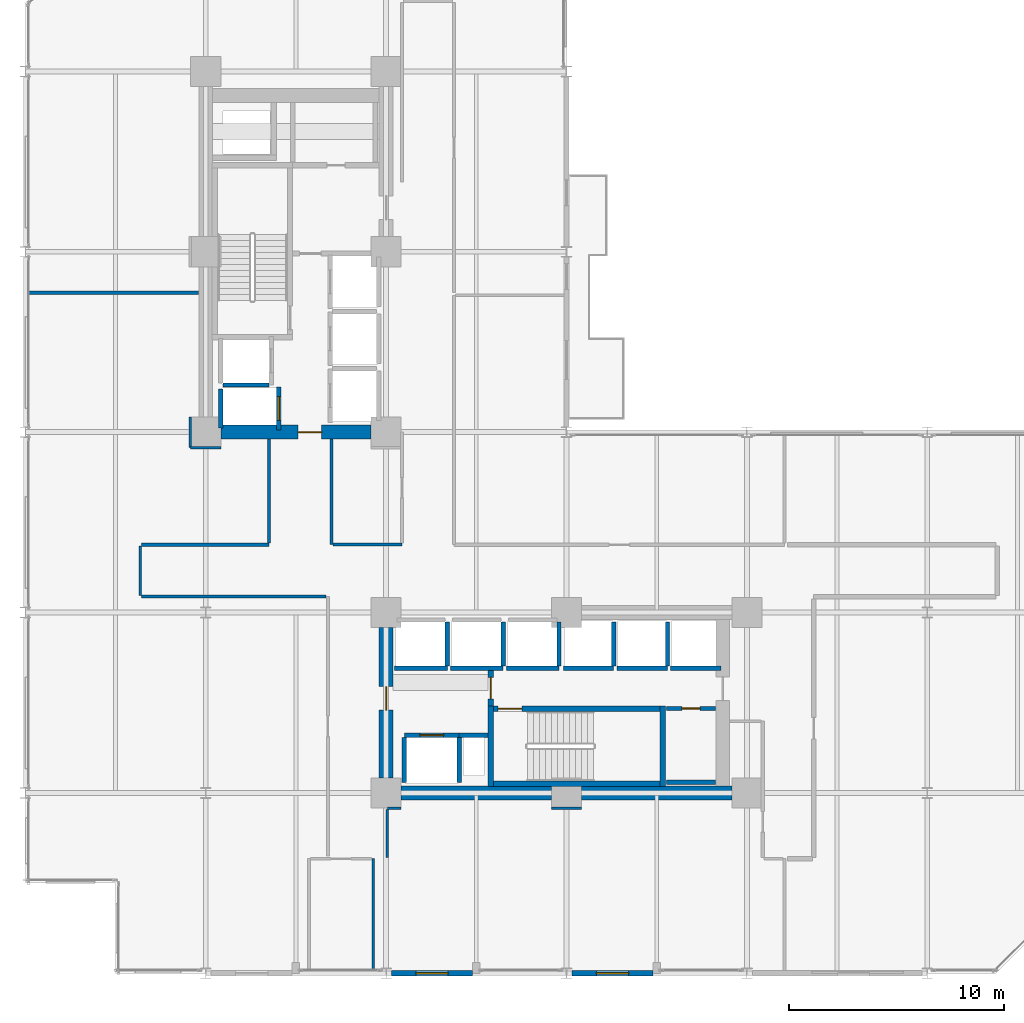
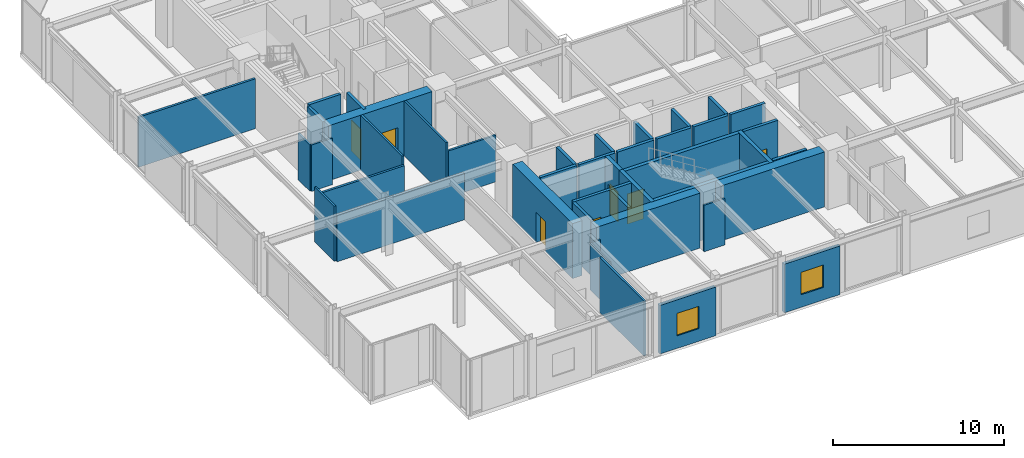
# One storey, part 19 of 24: 44 walls, 7 doors, 2 windows, 9 openings.
"""IFC4 building model written with IfcOpenShell, lengths in metres."""

import ifcopenshell
import ifcopenshell.guid

model = None  # the IFC model being written
_history = None  # IfcOwnerHistory: only IFC2X3 demands one
_inside = {}  # id of a spatial element -> (the spatial element, [elements in it])
_under = {}  # id of a project, library or spatial element -> (it, [spatial elements below it])
_declared = {}  # id of a project -> (the project, [libraries it declares])
_typed = {}  # id of a type object -> (the type object, [elements of that type])
_made_of = {}  # id of a material, layer set ... -> (it, [elements and type objects made of it])


def new_model(schema):
    """Start an empty IFC model of exactly this schema.

    Asked for "IFC4X3", IfcOpenShell would pick the latest addendum, in which some entities
    have other attributes; the version numbers below select the first issue.
    IFC2X3 requires an IfcOwnerHistory on every rooted entity: one is made here for all.
    """
    global model, _history
    if schema == "IFC4X3":
        model = ifcopenshell.file(schema_version=(4, 3, 0, 0))
    else:
        model = ifcopenshell.file(schema=schema)
    _inside.clear()
    _under.clear()
    _declared.clear()
    _typed.clear()
    _made_of.clear()
    _history = None
    if model.schema == "IFC2X3":
        org = make("IfcOrganization", Name="unknown")
        user = make(
            "IfcPersonAndOrganization",
            ThePerson=make("IfcPerson", FamilyName="unknown"),
            TheOrganization=org,
        )
        app = make(
            "IfcApplication",
            ApplicationDeveloper=org,
            Version="unknown",
            ApplicationFullName="unknown",
            ApplicationIdentifier="unknown",
        )
        _history = make(
            "IfcOwnerHistory",
            OwningUser=user,
            OwningApplication=app,
            ChangeAction="ADDED",
            CreationDate=0,
        )
    return model


def make(cls, **values):
    """One entity of the class cls with the attributes given. An attribute that is None is left unset."""
    return model.create_entity(
        cls, **{name: value for name, value in values.items() if value is not None}
    )


def rooted(cls, **values):
    """An entity with a GlobalId (a new one), such as an element, a storey or a relation."""
    return make(cls, GlobalId=ifcopenshell.guid.new(), OwnerHistory=_history, **values)


def si_unit(unit_type, name, prefix=None):
    """IfcSIUnit, for example si_unit("LENGTHUNIT", "METRE", prefix="MILLI")."""
    return make("IfcSIUnit", UnitType=unit_type, Prefix=prefix, Name=name)


def assignment(units):
    """IfcUnitAssignment: the units of a project."""
    return None if units is None else make("IfcUnitAssignment", Units=units)


def point(xyz):
    """IfcCartesianPoint."""
    return None if xyz is None else make("IfcCartesianPoint", Coordinates=xyz)


def direction(xyz):
    """IfcDirection."""
    return None if xyz is None else make("IfcDirection", DirectionRatios=xyz)


def frame(location, z_axis=None, x_axis=None):
    """IfcAxis2Placement3D, a coordinate frame: its origin and axes. An axis left out is left unset."""
    return make(
        "IfcAxis2Placement3D",
        Location=point(location),
        Axis=direction(z_axis),
        RefDirection=direction(x_axis),
    )


def frame_2d(location, x_axis=None):
    """IfcAxis2Placement2D, a coordinate frame in the plane: its origin and x axis."""
    return make(
        "IfcAxis2Placement2D", Location=point(location), RefDirection=direction(x_axis)
    )


def origin():
    """The frame at (0, 0, 0) with its axes left unset."""
    return frame((0.0, 0.0, 0.0))


def place(relative_to, where):
    """IfcLocalPlacement: puts the frame where relative to a parent placement (None: the world)."""
    return make(
        "IfcLocalPlacement", PlacementRelTo=relative_to, RelativePlacement=where
    )


def context(
    kind, dimensions, precision=None, world=None, true_north=None, identifier=None
):
    """IfcGeometricRepresentationContext, for example the 3D "Model" context."""
    return make(
        "IfcGeometricRepresentationContext",
        ContextIdentifier=identifier,
        ContextType=kind,
        CoordinateSpaceDimension=dimensions,
        Precision=precision,
        WorldCoordinateSystem=world,
        TrueNorth=true_north,
    )


def subcontext(parent, identifier, kind, view, scale=None):
    """IfcGeometricRepresentationSubContext, for example "Body" below "Model"."""
    return make(
        "IfcGeometricRepresentationSubContext",
        ContextIdentifier=identifier,
        ContextType=kind,
        ParentContext=parent,
        TargetScale=scale,
        TargetView=view,
    )


def project(units=None, contexts=None):
    """IfcProject with its units and contexts."""
    return rooted(
        "IfcProject",
        Name="project",
        RepresentationContexts=contexts,
        UnitsInContext=assignment(units),
    )


def spatial(cls, under=None, at=None, **own):
    """A site, building, storey or space (cls), placed at a placement, below another one or the project."""
    s = rooted(cls, ObjectPlacement=at, **own)
    if under is not None:
        _under.setdefault(under.id(), (under, []))[1].append(s)
    return s


def profile(cls, at=None, kind="AREA", **sizes):
    """A parametric profile (cls). Its sizes go by their IFC names, for example OverallWidth=200.0."""
    return make(cls, ProfileType=kind, Position=at, **sizes)


def rectangle(**sizes):
    """IfcRectangleProfileDef."""
    return profile("IfcRectangleProfileDef", **sizes)


def extrude(swept, where, along, depth):
    """IfcExtrudedAreaSolid: the profile swept, set in the frame where, extruded along a direction by depth."""
    return make(
        "IfcExtrudedAreaSolid",
        SweptArea=swept,
        Position=where,
        ExtrudedDirection=direction(along),
        Depth=depth,
    )


def shape(context_of_items, identifier, shape_type, items):
    """IfcShapeRepresentation: the items that make up one representation, for example the "Body"."""
    return make(
        "IfcShapeRepresentation",
        ContextOfItems=context_of_items,
        RepresentationIdentifier=identifier,
        RepresentationType=shape_type,
        Items=items,
    )


def material(Name=None, Category=None):
    """IfcMaterial."""
    return make("IfcMaterial", Name=Name, Category=Category)


def layer(
    of_material, thickness, ventilated=None, Name=None, Category=None, Priority=None
):
    """IfcMaterialLayer: one layer of a wall or slab, of a material (None: an air gap)."""
    return make(
        "IfcMaterialLayer",
        Material=of_material,
        LayerThickness=thickness,
        IsVentilated=ventilated,
        Name=Name,
        Category=Category,
        Priority=Priority,
    )


def layer_set(layers, Name=None):
    """IfcMaterialLayerSet."""
    return make("IfcMaterialLayerSet", MaterialLayers=layers, LayerSetName=Name)


def made_of(thing, what):
    """Note that an element or type object is made of a material, layer set ...; save() writes the relation."""
    if what is not None:
        _made_of.setdefault(what.id(), (what, []))[1].append(thing)
    return thing


def type_object(cls, material=None, **own):
    """A type object (cls), such as IfcWallType, which elements share."""
    return made_of(rooted(cls, **own), material)


def element(
    cls,
    number,
    at=None,
    inside=None,
    cuts=None,
    type_object=None,
    material=None,
    context=None,
    identifier="Body",
    shape_type=None,
    held_by="IfcProductDefinitionShape",
    body=None,
    shapes=None,
    **own,
):
    """One element of the class cls, such as IfcWall. Its Tag is "e" and its number.

    at: its placement. inside: the storey or other place that contains it. cuts: it is an
    opening in that element (IfcRelVoidsElement). A single representation is given by context,
    identifier, shape_type and body (its items); several are given by shapes. held_by: the class
    of the entity that holds the representations. save() writes the other relations.
    """
    e = rooted(cls, Tag="e%d" % number, ObjectPlacement=at, **own)
    if body is not None:
        shapes = [shape(context, identifier, shape_type, body)]
    if shapes is not None:
        e.Representation = make(held_by, Representations=shapes)
    if inside is not None:
        _inside.setdefault(inside.id(), (inside, []))[1].append(e)
    if cuts is not None:
        rooted(
            "IfcRelVoidsElement", RelatingBuildingElement=cuts, RelatedOpeningElement=e
        )
    if type_object is not None:
        _typed.setdefault(type_object.id(), (type_object, []))[1].append(e)
    return made_of(e, material)


def fill(opening, filler):
    """IfcRelFillsElement: the door or window that sits in an opening."""
    return rooted(
        "IfcRelFillsElement",
        RelatingOpeningElement=opening,
        RelatedBuildingElement=filler,
    )


def aggregate(whole, parts):
    """IfcRelAggregates: a whole, such as a stair, and the parts it consists of."""
    return rooted("IfcRelAggregates", RelatingObject=whole, RelatedObjects=parts)


def save(model, path):
    """Write the relations noted so far, then the file.

    IfcRelAggregates (storeys below a building ...), IfcRelContainedInSpatialStructure (elements
    in a storey), IfcRelDefinesByType, IfcRelAssociatesMaterial and IfcRelDeclares: one each for
    every whole, place, type object, material and project.
    """
    for whole, parts in _under.values():
        aggregate(whole, parts)
    for where, things in _inside.values():
        rooted(
            "IfcRelContainedInSpatialStructure",
            RelatedElements=things,
            RelatingStructure=where,
        )
    for kind, things in _typed.values():
        rooted("IfcRelDefinesByType", RelatedObjects=things, RelatingType=kind)
    for what, things in _made_of.values():
        rooted("IfcRelAssociatesMaterial", RelatedObjects=things, RelatingMaterial=what)
    for by, libraries in _declared.values():
        rooted("IfcRelDeclares", RelatingContext=by, RelatedDefinitions=libraries)
    model.write(path)


model = new_model("IFC4")

# Units and contexts
model_context = context("Model", 3, precision=1e-05, world=origin(), true_north=direction((0.0, 1.0)))
body_context = subcontext(model_context, "Body", "Model", "MODEL_VIEW")
ifc_project = project(units=[si_unit("LENGTHUNIT", "METRE"), si_unit("AREAUNIT", "SQUARE_METRE"), si_unit("VOLUMEUNIT", "CUBIC_METRE"), si_unit("PLANEANGLEUNIT", "RADIAN"), si_unit("MASSUNIT", "GRAM", prefix="KILO")], contexts=[model_context])

# Site, building, storey
site_placement = place(None, origin())
site = spatial("IfcSite", under=ifc_project, at=site_placement, CompositionType="ELEMENT")
building_placement = place(site_placement, origin())
building = spatial("IfcBuilding", under=site, at=building_placement, Name="Nerrivon Quay Data Exchange", CompositionType="ELEMENT")
storey_placement = place(building_placement, frame((0.0, 0.0, 33.199951171875)))
storey = spatial("IfcBuildingStorey", under=building, at=storey_placement, Name="L07", CompositionType="ELEMENT", Elevation=33.199951171875)

# Wall, opening, window
ifc_material_1 = material(Name="Architectural terracotta precast concrete N50 (50 MPa)", Category="masonry")
ifc_layer_1 = layer(ifc_material_1, 0.239990234375)
ifc_layer_set_1 = layer_set([ifc_layer_1], Name="Architectural terracotta precast concrete N50 (50 MPa)")
wall_type_1 = type_object("IfcWallType", Name="EW-PREC-240", PredefinedType="STANDARD", material=ifc_layer_set_1)
wall_1_placement = place(storey_placement, frame((29.22509765625, 0.0, 0.0), z_axis=(0.0, 0.0, 1.0), x_axis=(-1.0, 0.0, 0.0)))
wall_1 = element("IfcWall", 1, at=wall_1_placement, inside=storey, type_object=wall_type_1, Name="L07 Podium Precast Spandrel Wall 5", PredefinedType="STANDARD", context=body_context, shape_type="SweptSolid", body=[
    extrude(rectangle(XDim=3.775146484375, YDim=0.239990234375, at=frame_2d((1.8876953125, 0.0))), origin(), (0.0, 0.0, 1.0), 3.470947265625),
])
opening_1_placement = place(wall_1_placement, frame((1.137451171875, 0.0, 0.89990234375)))
opening_1 = element("IfcOpeningElement", 2, at=opening_1_placement, cuts=wall_1, Name="Opening WN4", PredefinedType="OPENING", context=body_context, shape_type="SweptSolid", body=[
    extrude(rectangle(XDim=1.5, YDim=1.60009765625, at=frame_2d((0.75, 0.800048828125))), frame((0.0, 0.1298828125, 0.0), z_axis=(0.0, -1.0, 0.0), x_axis=(1.0, 0.0, 0.0)), (0.0, 0.0, 1.0), 0.260009765625),
])
ifc_material_2 = material(Name="Double-glazed low-E solar control glass", Category="glass")
window_type = type_object("IfcWindowType", Name="WIN-W4-1500x1600", PartitioningType="SINGLE_PANEL", PredefinedType="WINDOW", material=ifc_material_2)
window_1_placement = place(opening_1_placement, origin())
window_1 = element("IfcWindow", 3, at=window_1_placement, inside=storey, type_object=window_type, Name="L07 Solar Facade Window 5", OverallHeight=1.60009765625, OverallWidth=1.5, PartitioningType="SINGLE_PANEL", PredefinedType="WINDOW", context=body_context, shape_type="SweptSolid", body=[
    extrude(rectangle(XDim=1.5, YDim=1.60009765625, at=frame_2d((0.75, 0.800048828125))), frame((0.0, 0.030029296875, 0.0), z_axis=(0.0, -1.0, 0.0), x_axis=(1.0, 0.0, 0.0)), (0.0, 0.0, 1.0), 0.06005859375),
])
fill(opening_1, window_1)

wall_2_placement = place(storey_placement, frame((20.824951171875, 0.0, 0.0), z_axis=(0.0, 0.0, 1.0), x_axis=(-1.0, 0.0, 0.0)))
wall_2 = element("IfcWall", 4, at=wall_2_placement, inside=storey, type_object=wall_type_1, Name="L07 Podium Precast Spandrel Wall 7", PredefinedType="STANDARD", context=body_context, shape_type="SweptSolid", body=[
    extrude(rectangle(XDim=3.77490234375, YDim=0.239990234375, at=frame_2d((1.887451171875, 0.0))), origin(), (0.0, 0.0, 1.0), 3.470947265625),
])
opening_2_placement = place(wall_2_placement, frame((1.137451171875, 0.0, 0.89990234375)))
opening_2 = element("IfcOpeningElement", 5, at=opening_2_placement, cuts=wall_2, Name="Opening WN4", PredefinedType="OPENING", context=body_context, shape_type="SweptSolid", body=[
    extrude(rectangle(XDim=1.5, YDim=1.60009765625, at=frame_2d((0.75, 0.800048828125))), frame((0.0, 0.1298828125, 0.0), z_axis=(0.0, -1.0, 0.0), x_axis=(1.0, 0.0, 0.0)), (0.0, 0.0, 1.0), 0.260009765625),
])
window_2_placement = place(opening_2_placement, origin())
window_2 = element("IfcWindow", 6, at=window_2_placement, inside=storey, type_object=window_type, Name="L07 Solar Facade Window 7", OverallHeight=1.60009765625, OverallWidth=1.5, PartitioningType="SINGLE_PANEL", PredefinedType="WINDOW", context=body_context, shape_type="SweptSolid", body=[
    extrude(rectangle(XDim=1.5, YDim=1.60009765625, at=frame_2d((0.75, 0.800048828125))), frame((0.0, 0.030029296875, 0.0), z_axis=(0.0, -1.0, 0.0), x_axis=(1.0, 0.0, 0.0)), (0.0, 0.0, 1.0), 0.06005859375),
])
fill(opening_2, window_2)

# Wall, opening, door
ifc_material_3 = material(Name="Concrete N80 (80 MPa)", Category="concrete")
ifc_layer_2 = layer(ifc_material_3, 0.64990234375)
ifc_layer_set_2 = layer_set([ifc_layer_2], Name="Concrete N80 (80 MPa)")
wall_type_2 = type_object("IfcWallType", Name="WALL-CW-850", PredefinedType="SHEAR", material=ifc_layer_set_2)
wall_3_placement = place(storey_placement, frame((9.10009765625, 25.199951171875, 0.0), z_axis=(0.0, 0.0, 1.0), x_axis=(1.0, 0.0, 0.0)))
wall_3 = element("IfcWall", 7, at=wall_3_placement, inside=storey, type_object=wall_type_2, Name="L07 West Split-Core Shear Wall WCW-S1", PredefinedType="SHEAR", context=body_context, shape_type="SweptSolid", body=[
    extrude(rectangle(XDim=7.0, YDim=0.64990234375, at=frame_2d((3.5, 0.0))), origin(), (0.0, 0.0, 1.0), 3.925048828125),
])
opening_3_placement = place(wall_3_placement, frame((3.60009765625, 0.0, 0.0)))
opening_3 = element("IfcOpeningElement", 8, at=opening_3_placement, cuts=wall_3, Name="Opening FD-120", PredefinedType="OPENING", context=body_context, shape_type="SweptSolid", body=[
    extrude(rectangle(XDim=1.10009765625, YDim=2.14990234375, at=frame_2d((0.550048828125, 1.074951171875))), frame((0.0, 0.3349609375, 0.0), z_axis=(0.0, -1.0, 0.0), x_axis=(1.0, 0.0, 0.0)), (0.0, 0.0, 1.0), 0.669921875),
])
ifc_material_4 = material(Name="Powder-coated galvanized steel sheet", Category="steel")
door_type_1 = type_object("IfcDoorType", Name="DR-FD120-1100", OperationType="NOTDEFINED", PredefinedType="DOOR", material=ifc_material_4)
door_1_placement = place(opening_3_placement, origin())
door_1 = element("IfcDoor", 9, at=door_1_placement, inside=storey, type_object=door_type_1, Name="L07 West Core Lobby Fire Door", OperationType="SINGLE_SWING_LEFT", OverallHeight=2.14990234375, OverallWidth=1.10009765625, PredefinedType="DOOR", context=body_context, shape_type="SweptSolid", body=[
    extrude(rectangle(XDim=1.10009765625, YDim=2.14990234375, at=frame_2d((0.550048828125, 1.074951171875))), frame((0.0, 0.02490234375, 0.0), z_axis=(0.0, -1.0, 0.0), x_axis=(1.0, 0.0, 0.0)), (0.0, 0.0, 1.0), 0.050048828125),
])
fill(opening_3, door_1)

# Walls
for number, where, z_axis, x_axis, name in (
    (10, (17.5, 8.39990234375, 0.0), (0.0, 0.0, 1.0), (1.0, 0.0, 0.0), "L07 East Split-Core Shear Wall ECW-S1"),
    (11, (25.89990234375, 8.39990234375, 0.0), (0.0, 0.0, 1.0), (1.0, 0.0, 0.0), "L07 East Split-Core Shear Wall ECW-S2"),
):
    element("IfcWall", number, at=place(storey_placement, frame(where, z_axis=z_axis, x_axis=x_axis)), inside=storey, type_object=wall_type_2, Name=name, PredefinedType="SHEAR", context=body_context, shape_type="SweptSolid", body=[
        extrude(rectangle(XDim=7.0, YDim=0.64990234375, at=frame_2d((3.5, 0.0))), origin(), (0.0, 0.0, 1.0), 3.925048828125),
    ])

# Wall, opening, door
wall_4_placement = place(storey_placement, frame((16.800048828125, 9.10009765625, 0.0), z_axis=(0.0, 0.0, 1.0), x_axis=(0.0, 1.0, 0.0)))
wall_4 = element("IfcWall", 12, at=wall_4_placement, inside=storey, type_object=wall_type_2, Name="L07 East Split-Core Shear Wall ECW-W1", PredefinedType="SHEAR", context=body_context, shape_type="SweptSolid", body=[
    extrude(rectangle(XDim=7.0, YDim=0.64990234375, at=frame_2d((3.5, 0.0))), origin(), (0.0, 0.0, 1.0), 3.925048828125),
])
opening_4_placement = place(wall_4_placement, frame((3.14990234375, 0.0, 0.0)))
opening_4 = element("IfcOpeningElement", 13, at=opening_4_placement, cuts=wall_4, Name="Opening FD-120", PredefinedType="OPENING", context=body_context, shape_type="SweptSolid", body=[
    extrude(rectangle(XDim=1.10009765625, YDim=2.14990234375, at=frame_2d((0.550048828125, 1.074951171875))), frame((0.0, 0.3349609375, 0.0), z_axis=(0.0, -1.0, 0.0), x_axis=(1.0, 0.0, 0.0)), (0.0, 0.0, 1.0), 0.669921875),
])
door_2_placement = place(opening_4_placement, origin())
door_2 = element("IfcDoor", 14, at=door_2_placement, inside=storey, type_object=door_type_1, Name="L07 East Core Lobby Fire Door", OperationType="SINGLE_SWING_LEFT", OverallHeight=2.14990234375, OverallWidth=1.10009765625, PredefinedType="DOOR", context=body_context, shape_type="SweptSolid", body=[
    extrude(rectangle(XDim=1.10009765625, YDim=2.14990234375, at=frame_2d((0.550048828125, 1.074951171875))), frame((0.0, 0.02490234375, 0.0), z_axis=(0.0, -1.0, 0.0), x_axis=(1.0, 0.0, 0.0)), (0.0, 0.0, 1.0), 0.050048828125),
])
fill(opening_4, door_2)

# Walls
ifc_material_5 = material(Name="Gypsum plasterboard on cold-formed framing", Category="gypsum")
ifc_layer_3 = layer(ifc_material_5, 0.199951171875)
ifc_layer_set_3 = layer_set([ifc_layer_3], Name="Gypsum plasterboard on cold-formed framing")
wall_type_3 = type_object("IfcWallType", Name="WALL-FW-200", PredefinedType="PARTITIONING", material=ifc_layer_set_3)
wall_5_placement = place(storey_placement, frame((20.199951171875, 11.080078125, 0.0), z_axis=(0.0, 0.0, 1.0), x_axis=(1.0, 0.0, 0.0)))
element("IfcWall", 15, at=wall_5_placement, inside=storey, type_object=wall_type_3, Name="L07 East Core MEP Riser Shaft Wall N", PredefinedType="PARTITIONING", context=body_context, shape_type="SweptSolid", body=[
    extrude(rectangle(XDim=1.35009765625, YDim=0.199951171875, at=frame_2d((0.675048828125, 0.0))), origin(), (0.0, 0.0, 1.0), 3.925048828125),
])
wall_6_placement = place(storey_placement, frame((9.199951171875, 27.39990234375, 0.0), z_axis=(0.0, 0.0, 1.0), x_axis=(1.0, 0.0, 0.0)))
element("IfcWall", 16, at=wall_6_placement, inside=storey, type_object=wall_type_3, Name="L07 Lift Shaft Wall FFL-1 SOUTH", PredefinedType="PARTITIONING", context=body_context, shape_type="SweptSolid", body=[
    extrude(rectangle(XDim=2.150146484375, YDim=0.199951171875, at=frame_2d((1.0751953125, 0.0))), origin(), (0.0, 0.0, 1.0), 3.925048828125),
])

# Wall, opening, door
wall_7_placement = place(storey_placement, frame((11.800048828125, 25.300048828125, 0.0), z_axis=(0.0, 0.0, 1.0), x_axis=(0.0, 1.0, 0.0)))
wall_7 = element("IfcWall", 17, at=wall_7_placement, inside=storey, type_object=wall_type_3, Name="L07 Lift Front Wall SVL-1", PredefinedType="PARTITIONING", context=body_context, shape_type="SweptSolid", body=[
    extrude(rectangle(XDim=2.0, YDim=0.199951171875, at=frame_2d((1.0, 0.0))), origin(), (0.0, 0.0, 1.0), 3.925048828125),
])
opening_5_placement = place(wall_7_placement, frame((0.449951171875, 0.0, 0.0)))
opening_5 = element("IfcOpeningElement", 18, at=opening_5_placement, cuts=wall_7, Name="Opening LD-120", PredefinedType="OPENING", context=body_context, shape_type="SweptSolid", body=[
    extrude(rectangle(XDim=1.10009765625, YDim=2.199951171875, at=frame_2d((0.550048828125, 1.10009765625))), frame((0.0, 0.10986328125, 0.0), z_axis=(0.0, -1.0, 0.0), x_axis=(1.0, 0.0, 0.0)), (0.0, 0.0, 1.0), 0.219970703125),
])
door_type_2 = type_object("IfcDoorType", Name="DR-LIFT-LD120", OperationType="DOUBLE_DOOR_SLIDING", PredefinedType="DOOR", material=ifc_material_4)
door_3_placement = place(opening_5_placement, origin())
door_3 = element("IfcDoor", 19, at=door_3_placement, inside=storey, type_object=door_type_2, Name="L07 Lift Landing Sliding Door SVL-1", OperationType="DOUBLE_DOOR_SLIDING", OverallHeight=2.199951171875, OverallWidth=1.10009765625, PredefinedType="DOOR", context=body_context, shape_type="SweptSolid", body=[
    extrude(rectangle(XDim=1.10009765625, YDim=2.199951171875, at=frame_2d((0.550048828125, 1.10009765625))), frame((0.0, 0.02490234375, 0.0), z_axis=(0.0, -1.0, 0.0), x_axis=(1.0, 0.0, 0.0)), (0.0, 0.0, 1.0), 0.050048828125),
])
fill(opening_5, door_3)

# Wall
wall_8_placement = place(storey_placement, frame((9.10009765625, 25.39990234375, 0.0), z_axis=(0.0, 0.0, 1.0), x_axis=(0.0, 1.0, 0.0)))
element("IfcWall", 20, at=wall_8_placement, inside=storey, type_object=wall_type_3, Name="L07 Lift Shaft Wall SVL-1 WEST", PredefinedType="PARTITIONING", context=body_context, shape_type="SweptSolid", body=[
    extrude(rectangle(XDim=1.800048828125, YDim=0.199951171875, at=frame_2d((0.89990234375, 0.0))), origin(), (0.0, 0.0, 1.0), 3.925048828125),
])

# Wall, opening, door
wall_9_placement = place(storey_placement, frame((17.64990234375, 11.080078125, 0.0), z_axis=(0.0, 0.0, 1.0), x_axis=(1.0, 0.0, 0.0)))
wall_9 = element("IfcWall", 21, at=wall_9_placement, inside=storey, type_object=wall_type_3, Name="L07 Lift Front Wall FFL-2", PredefinedType="PARTITIONING", context=body_context, shape_type="SweptSolid", body=[
    extrude(rectangle(XDim=2.550048828125, YDim=0.199951171875, at=frame_2d((1.27490234375, 0.0))), origin(), (0.0, 0.0, 1.0), 3.925048828125),
])
opening_6_placement = place(wall_9_placement, frame((0.72509765625, 0.0, 0.0)))
opening_6 = element("IfcOpeningElement", 22, at=opening_6_placement, cuts=wall_9, Name="Opening LD-120", PredefinedType="OPENING", context=body_context, shape_type="SweptSolid", body=[
    extrude(rectangle(XDim=1.10009765625, YDim=2.199951171875, at=frame_2d((0.550048828125, 1.10009765625))), frame((0.0, 0.10986328125, 0.0), z_axis=(0.0, -1.0, 0.0), x_axis=(1.0, 0.0, 0.0)), (0.0, 0.0, 1.0), 0.219970703125),
])
door_4_placement = place(opening_6_placement, origin())
door_4 = element("IfcDoor", 23, at=door_4_placement, inside=storey, type_object=door_type_2, Name="L07 Lift Landing Sliding Door FFL-2", OperationType="DOUBLE_DOOR_SLIDING", OverallHeight=2.199951171875, OverallWidth=1.10009765625, PredefinedType="DOOR", context=body_context, shape_type="SweptSolid", body=[
    extrude(rectangle(XDim=1.10009765625, YDim=2.199951171875, at=frame_2d((0.550048828125, 1.10009765625))), frame((0.0, 0.02490234375, 0.0), z_axis=(0.0, -1.0, 0.0), x_axis=(1.0, 0.0, 0.0)), (0.0, 0.0, 1.0), 0.050048828125),
])
fill(opening_6, door_4)

# Walls
for number, where, z_axis, x_axis, name in (
    (24, (20.199951171875, 8.8798828125, 0.0), (0.0, 0.0, 1.0), (0.0, 1.0, 0.0), "L07 Lift Shaft Wall FFL-2 EAST"),
    (25, (17.64990234375, 8.8798828125, 0.0), (0.0, 0.0, 1.0), (0.0, 1.0, 0.0), "L07 Lift Shaft Wall FFL-2 WEST"),
):
    element("IfcWall", number, at=place(storey_placement, frame(where, z_axis=z_axis, x_axis=x_axis)), inside=storey, type_object=wall_type_3, Name=name, PredefinedType="PARTITIONING", context=body_context, shape_type="SweptSolid", body=[
        extrude(rectangle(XDim=2.10009765625, YDim=0.199951171875, at=frame_2d((1.050048828125, 0.0))), origin(), (0.0, 0.0, 1.0), 3.925048828125),
    ])
wall_10_placement = place(storey_placement, frame((17.199951171875, 14.199951171875, 0.0), z_axis=(0.0, 0.0, 1.0), x_axis=(1.0, 0.0, 0.0)))
element("IfcWall", 26, at=wall_10_placement, inside=storey, type_object=wall_type_3, Name="L07 Lift Front Wall PL4", PredefinedType="PARTITIONING", context=body_context, shape_type="SweptSolid", body=[
    extrude(rectangle(XDim=2.449951171875, YDim=0.199951171875, at=frame_2d((1.22509765625, 0.0))), origin(), (0.0, 0.0, 1.0), 3.925048828125),
])
wall_11_placement = place(storey_placement, frame((19.64990234375, 14.300048828125, 0.0), z_axis=(0.0, 0.0, 1.0), x_axis=(0.0, 1.0, 0.0)))
element("IfcWall", 27, at=wall_11_placement, inside=storey, type_object=wall_type_3, Name="L07 Lift Shaft Wall PL4 EAST", PredefinedType="PARTITIONING", context=body_context, shape_type="SweptSolid", body=[
    extrude(rectangle(XDim=2.050048828125, YDim=0.199951171875, at=frame_2d((1.02490234375, 0.0))), origin(), (0.0, 0.0, 1.0), 3.925048828125),
])
wall_12_placement = place(storey_placement, frame((19.800048828125, 14.199951171875, 0.0), z_axis=(0.0, 0.0, 1.0), x_axis=(1.0, 0.0, 0.0)))
element("IfcWall", 28, at=wall_12_placement, inside=storey, type_object=wall_type_3, Name="L07 Lift Front Wall PL5", PredefinedType="PARTITIONING", context=body_context, shape_type="SweptSolid", body=[
    extrude(rectangle(XDim=2.449951171875, YDim=0.199951171875, at=frame_2d((1.22509765625, 0.0))), origin(), (0.0, 0.0, 1.0), 3.925048828125),
])
wall_13_placement = place(storey_placement, frame((22.25, 14.300048828125, 0.0), z_axis=(0.0, 0.0, 1.0), x_axis=(0.0, 1.0, 0.0)))
element("IfcWall", 29, at=wall_13_placement, inside=storey, type_object=wall_type_3, Name="L07 Lift Shaft Wall PL5 EAST", PredefinedType="PARTITIONING", context=body_context, shape_type="SweptSolid", body=[
    extrude(rectangle(XDim=2.050048828125, YDim=0.199951171875, at=frame_2d((1.02490234375, 0.0))), origin(), (0.0, 0.0, 1.0), 3.925048828125),
])
wall_14_placement = place(storey_placement, frame((22.39990234375, 14.199951171875, 0.0), z_axis=(0.0, 0.0, 1.0), x_axis=(1.0, 0.0, 0.0)))
element("IfcWall", 30, at=wall_14_placement, inside=storey, type_object=wall_type_3, Name="L07 Lift Front Wall PL6", PredefinedType="PARTITIONING", context=body_context, shape_type="SweptSolid", body=[
    extrude(rectangle(XDim=2.4501953125, YDim=0.199951171875, at=frame_2d((1.22509765625, 0.0))), origin(), (0.0, 0.0, 1.0), 3.925048828125),
])
wall_15_placement = place(storey_placement, frame((24.85009765625, 14.300048828125, 0.0), z_axis=(0.0, 0.0, 1.0), x_axis=(0.0, 1.0, 0.0)))
element("IfcWall", 31, at=wall_15_placement, inside=storey, type_object=wall_type_3, Name="L07 Lift Shaft Wall PL6 EAST", PredefinedType="PARTITIONING", context=body_context, shape_type="SweptSolid", body=[
    extrude(rectangle(XDim=2.050048828125, YDim=0.199951171875, at=frame_2d((1.02490234375, 0.0))), origin(), (0.0, 0.0, 1.0), 3.925048828125),
])
wall_16_placement = place(storey_placement, frame((25.050048828125, 14.199951171875, 0.0), z_axis=(0.0, 0.0, 1.0), x_axis=(1.0, 0.0, 0.0)))
element("IfcWall", 32, at=wall_16_placement, inside=storey, type_object=wall_type_3, Name="L07 Lift Front Wall PL7", PredefinedType="PARTITIONING", context=body_context, shape_type="SweptSolid", body=[
    extrude(rectangle(XDim=2.349853515625, YDim=0.199951171875, at=frame_2d((1.1748046875, 0.0))), origin(), (0.0, 0.0, 1.0), 3.925048828125),
])
wall_17_placement = place(storey_placement, frame((27.39990234375, 14.300048828125, 0.0), z_axis=(0.0, 0.0, 1.0), x_axis=(0.0, 1.0, 0.0)))
element("IfcWall", 33, at=wall_17_placement, inside=storey, type_object=wall_type_3, Name="L07 Lift Shaft Wall PL7 EAST", PredefinedType="PARTITIONING", context=body_context, shape_type="SweptSolid", body=[
    extrude(rectangle(XDim=2.050048828125, YDim=0.199951171875, at=frame_2d((1.02490234375, 0.0))), origin(), (0.0, 0.0, 1.0), 3.925048828125),
])
wall_18_placement = place(storey_placement, frame((27.550048828125, 14.199951171875, 0.0), z_axis=(0.0, 0.0, 1.0), x_axis=(1.0, 0.0, 0.0)))
element("IfcWall", 34, at=wall_18_placement, inside=storey, type_object=wall_type_3, Name="L07 Lift Front Wall PL8", PredefinedType="PARTITIONING", context=body_context, shape_type="SweptSolid", body=[
    extrude(rectangle(XDim=2.349853515625, YDim=0.199951171875, at=frame_2d((1.1748046875, 0.0))), origin(), (0.0, 0.0, 1.0), 3.925048828125),
])
wall_19_placement = place(storey_placement, frame((29.89990234375, 14.300048828125, 0.0), z_axis=(0.0, 0.0, 1.0), x_axis=(0.0, 1.0, 0.0)))
element("IfcWall", 35, at=wall_19_placement, inside=storey, type_object=wall_type_3, Name="L07 Lift Shaft Wall PL8 EAST", PredefinedType="PARTITIONING", context=body_context, shape_type="SweptSolid", body=[
    extrude(rectangle(XDim=2.050048828125, YDim=0.199951171875, at=frame_2d((1.02490234375, 0.0))), origin(), (0.0, 0.0, 1.0), 3.925048828125),
])
wall_20_placement = place(storey_placement, frame((30.050048828125, 14.199951171875, 0.0), z_axis=(0.0, 0.0, 1.0), x_axis=(1.0, 0.0, 0.0)))
element("IfcWall", 36, at=wall_20_placement, inside=storey, type_object=wall_type_3, Name="L07 Lift Front Wall PL9", PredefinedType="PARTITIONING", context=body_context, shape_type="SweptSolid", body=[
    extrude(rectangle(XDim=2.349853515625, YDim=0.199951171875, at=frame_2d((1.1748046875, 0.0))), origin(), (0.0, 0.0, 1.0), 3.925048828125),
])

# Wall, opening, door
wall_21_placement = place(storey_placement, frame((32.14599609375, 12.330078125, 0.0), z_axis=(0.0, 0.0, 1.0), x_axis=(-1.0, 0.0, 0.0)))
wall_21 = element("IfcWall", 37, at=wall_21_placement, inside=storey, type_object=wall_type_3, Name="L07 Partition East Telecom Closet", PredefinedType="PARTITIONING", context=body_context, shape_type="SweptSolid", body=[
    extrude(rectangle(XDim=2.2958984375, YDim=0.199951171875, at=frame_2d((1.14794921875, 0.0))), origin(), (0.0, 0.0, 1.0), 3.925048828125),
])
opening_7_placement = place(wall_21_placement, frame((0.722900390625, 0.0, 0.0)))
opening_7 = element("IfcOpeningElement", 38, at=opening_7_placement, cuts=wall_21, Name="Opening FD-60S", PredefinedType="OPENING", context=body_context, shape_type="SweptSolid", body=[
    extrude(rectangle(XDim=0.85009765625, YDim=2.14990234375, at=frame_2d((0.425048828125, 1.074951171875))), frame((0.0, 0.10986328125, 0.0), z_axis=(0.0, -1.0, 0.0), x_axis=(1.0, 0.0, 0.0)), (0.0, 0.0, 1.0), 0.219970703125),
])
ifc_material_6 = material(Name="Engineered hardwood timber", Category="wood")
door_type_3 = type_object("IfcDoorType", Name="DR-FD60-850", OperationType="NOTDEFINED", PredefinedType="DOOR", material=ifc_material_6)
door_5_placement = place(opening_7_placement, origin())
door_5 = element("IfcDoor", 39, at=door_5_placement, inside=storey, type_object=door_type_3, Name="L07 Door East Telecom Closet", OperationType="SINGLE_SWING_LEFT", OverallHeight=2.14990234375, OverallWidth=0.85009765625, PredefinedType="DOOR", context=body_context, shape_type="SweptSolid", body=[
    extrude(rectangle(XDim=0.85009765625, YDim=2.14990234375, at=frame_2d((0.425048828125, 1.074951171875))), frame((0.0, 0.02490234375, 0.0), z_axis=(0.0, -1.0, 0.0), x_axis=(1.0, 0.0, 0.0)), (0.0, 0.0, 1.0), 0.050048828125),
])
fill(opening_7, door_5)

# Walls
wall_22_placement = place(storey_placement, frame((29.85009765625, 8.89990234375, 0.0), z_axis=(0.0, 0.0, 1.0), x_axis=(1.0, 0.0, 0.0)))
element("IfcWall", 40, at=wall_22_placement, inside=storey, type_object=wall_type_3, Name="L07 Partition East Telecom Closet", PredefinedType="PARTITIONING", context=body_context, shape_type="SweptSolid", body=[
    extrude(rectangle(XDim=2.2958984375, YDim=0.199951171875, at=frame_2d((1.14794921875, 0.0))), origin(), (0.0, 0.0, 1.0), 3.925048828125),
])
ifc_layer_4 = layer(ifc_material_5, 0.1201171875)
ifc_layer_set_4 = layer_set([ifc_layer_4], Name="Gypsum plasterboard on cold-formed framing")
wall_type_4 = type_object("IfcWallType", Name="WALL-PT-120", PredefinedType="PARTITIONING", material=ifc_layer_set_4)
wall_23_placement = place(storey_placement, frame((25.90576171875, 7.680908203125, 0.0), z_axis=(0.0, 0.0, 1.0), x_axis=(-0.999999758706, -0.000694685487, 0.0)))
element("IfcWall", 41, at=wall_23_placement, inside=storey, type_object=wall_type_4, Name="L07 Partition Technical Library", PredefinedType="PARTITIONING", context=body_context, shape_type="SweptSolid", body=[
    extrude(rectangle(XDim=1.40576171875, YDim=0.1201171875, at=frame_2d((0.702880859375, 0.0))), origin(), (0.0, 0.0, 1.0), 3.322998046875),
])
wall_24_placement = place(storey_placement, frame((17.5, 7.679931640625, 0.0), z_axis=(0.0, 0.0, 1.0), x_axis=(-1.0, 0.0, 0.0)))
element("IfcWall", 42, at=wall_24_placement, inside=storey, type_object=wall_type_4, Name="L07 Partition Technical Library", PredefinedType="PARTITIONING", context=body_context, shape_type="SweptSolid", body=[
    extrude(rectangle(XDim=0.639892578125, YDim=0.1201171875, at=frame_2d((0.31982421875, 0.0))), origin(), (0.0, 0.0, 1.0), 3.322998046875),
])
wall_25_placement = place(storey_placement, frame((16.860107421875, 7.615966796875, 0.0), z_axis=(0.0, 0.0, 1.0), x_axis=(0.0, -1.0, 0.0)))
element("IfcWall", 43, at=wall_25_placement, inside=storey, type_object=wall_type_4, Name="L07 Partition Technical Library", PredefinedType="PARTITIONING", context=body_context, shape_type="SweptSolid", body=[
    extrude(rectangle(XDim=2.216064453125, YDim=0.1201171875, at=frame_2d((1.10791015625, 0.0))), origin(), (0.0, 0.0, 1.0), 3.322998046875),
])
wall_26_placement = place(storey_placement, frame((9.105712890625, 24.48095703125, 0.0), z_axis=(0.0, 0.0, 1.0), x_axis=(-0.999999758706, -0.000694685487, 0.0)))
element("IfcWall", 44, at=wall_26_placement, inside=storey, type_object=wall_type_4, Name="L07 Partition Optical Engineering Studios Workspace", PredefinedType="PARTITIONING", context=body_context, shape_type="SweptSolid", body=[
    extrude(rectangle(XDim=1.40576171875, YDim=0.1201171875, at=frame_2d((0.702880859375, 0.0))), origin(), (0.0, 0.0, 1.0), 3.322998046875),
])
wall_27_placement = place(storey_placement, frame((7.680908203125, 24.494140625, 0.0), z_axis=(0.0, 0.0, 1.0), x_axis=(0.0, 1.0, 0.0)))
element("IfcWall", 45, at=wall_27_placement, inside=storey, type_object=wall_type_4, Name="L07 Partition Optical Engineering Studios Workspace", PredefinedType="PARTITIONING", context=body_context, shape_type="SweptSolid", body=[
    extrude(rectangle(XDim=1.41162109375, YDim=0.1201171875, at=frame_2d((0.705810546875, 0.0))), origin(), (0.0, 0.0, 1.0), 3.31298828125),
])
wall_28_placement = place(storey_placement, frame((5.340087890625, 17.60009765625, 0.0), z_axis=(0.0, 0.0, 1.0), x_axis=(0.0, 1.0, 0.0)))
element("IfcWall", 46, at=wall_28_placement, inside=storey, type_object=wall_type_4, Name="L07 Partition Optical Engineering Studios Workspace", PredefinedType="PARTITIONING", context=body_context, shape_type="SweptSolid", body=[
    extrude(rectangle(XDim=2.2998046875, YDim=0.1201171875, at=frame_2d((1.14990234375, 0.0))), origin(), (0.0, 0.0, 1.0), 3.925048828125),
])
ifc_layer_5 = layer(ifc_material_5, 0.135009765625)
ifc_layer_set_5 = layer_set([ifc_layer_5], Name="Gypsum plasterboard on cold-formed framing")
wall_type_5 = type_object("IfcWallType", Name="WALL-PT-135", PredefinedType="PARTITIONING", material=ifc_layer_set_5)
wall_29_placement = place(storey_placement, frame((16.199951171875, 0.1689453125, 0.0), z_axis=(0.0, 0.0, 1.0), x_axis=(0.0, 1.0, 0.0)))
element("IfcWall", 47, at=wall_29_placement, inside=storey, type_object=wall_type_5, Name="L07 Partition Accessible Toilet", PredefinedType="PARTITIONING", context=body_context, shape_type="SweptSolid", body=[
    extrude(rectangle(XDim=5.171142578125, YDim=0.135009765625, at=frame_2d((2.58544921875, 0.0))), origin(), (0.0, 0.0, 1.0), 3.925048828125),
])
wall_30_placement = place(storey_placement, frame((14.260009765625, 24.87109375, 0.0), z_axis=(0.0, 0.0, 1.0), x_axis=(0.0, -1.0, 0.0)))
element("IfcWall", 48, at=wall_30_placement, inside=storey, type_object=wall_type_5, Name="L07 Partition Public Washrooms", PredefinedType="PARTITIONING", context=body_context, shape_type="SweptSolid", body=[
    extrude(rectangle(XDim=4.9111328125, YDim=0.135009765625, at=frame_2d((2.45556640625, 0.0))), origin(), (0.0, 0.0, 1.0), 3.925048828125),
])
wall_31_placement = place(storey_placement, frame((14.33154296875, 19.9599609375, 0.0), z_axis=(0.0, 0.0, 1.0), x_axis=(1.0, 0.0, 0.0)))
element("IfcWall", 49, at=wall_31_placement, inside=storey, type_object=wall_type_5, Name="L07 Partition Public Washrooms", PredefinedType="PARTITIONING", context=body_context, shape_type="SweptSolid", body=[
    extrude(rectangle(XDim=3.20849609375, YDim=0.135009765625, at=frame_2d((1.604248046875, 0.0))), origin(), (0.0, 0.0, 1.0), 3.322998046875),
])
wall_32_placement = place(storey_placement, frame((11.340087890625, 20.0390625, 0.0), z_axis=(0.0, 0.0, 1.0), x_axis=(0.0, 1.0, 0.0)))
element("IfcWall", 50, at=wall_32_placement, inside=storey, type_object=wall_type_5, Name="L07 Partition Optical Engineering Studios Workspace", PredefinedType="PARTITIONING", context=body_context, shape_type="SweptSolid", body=[
    extrude(rectangle(XDim=4.83203125, YDim=0.135009765625, at=frame_2d((2.416015625, 0.0))), origin(), (0.0, 0.0, 1.0), 3.925048828125),
])
ifc_layer_6 = layer(ifc_material_5, 0.14990234375)
ifc_layer_set_6 = layer_set([ifc_layer_6], Name="Gypsum plasterboard on cold-formed framing")
wall_type_6 = type_object("IfcWallType", Name="WALL-PT-150", PredefinedType="PARTITIONING", material=ifc_layer_set_6)
wall_33_placement = place(storey_placement, frame((0.1689453125, 31.69287109375, 0.0), z_axis=(0.0, 0.0, 1.0), x_axis=(1.0, 0.0, 0.0)))
element("IfcWall", 51, at=wall_33_placement, inside=storey, type_object=wall_type_6, Name="L07 Partition Cloud Compute Workspace 1", PredefinedType="PARTITIONING", context=body_context, shape_type="SweptSolid", body=[
    extrude(rectangle(XDim=7.902099609375, YDim=0.14990234375, at=frame_2d((3.951171875, 0.0))), origin(), (0.0, 0.0, 1.0), 3.566162109375),
])
wall_34_placement = place(storey_placement, frame((14.010986328125, 17.5400390625, 0.0), z_axis=(0.0, 0.0, 1.0), x_axis=(-1.0, 0.0, 0.0)))
element("IfcWall", 52, at=wall_34_placement, inside=storey, type_object=wall_type_6, Name="L07 Partition Optical Engineering Studios Workspace", PredefinedType="PARTITIONING", context=body_context, shape_type="SweptSolid", body=[
    extrude(rectangle(XDim=8.611083984375, YDim=0.14990234375, at=frame_2d((4.3056640625, 0.0))), origin(), (0.0, 0.0, 1.0), 3.322998046875),
])
wall_35_placement = place(storey_placement, frame((5.39990234375, 19.9599609375, 0.0), z_axis=(0.0, 0.0, 1.0), x_axis=(1.0, 0.0, 0.0)))
element("IfcWall", 53, at=wall_35_placement, inside=storey, type_object=wall_type_6, Name="L07 Partition Optical Engineering Studios Workspace", PredefinedType="PARTITIONING", context=body_context, shape_type="SweptSolid", body=[
    extrude(rectangle(XDim=5.940185546875, YDim=0.14990234375, at=frame_2d((2.97021484375, 0.0))), origin(), (0.0, 0.0, 1.0), 3.322998046875),
])
ifc_material_7 = material(Name="Concrete N50 (50 MPa)", Category="concrete")
ifc_layer_7 = layer(ifc_material_7, 0.25)
ifc_layer_set_7 = layer_set([ifc_layer_7], Name="Concrete N50 (50 MPa)")
wall_type_7 = type_object("IfcWallType", Name="WALL-SW-250", PredefinedType="SHEAR", material=ifc_layer_set_7)
for number, where, z_axis, x_axis, name in (
    (54, (21.675048828125, 8.699951171875, 0.0), (0.0, 0.0, 1.0), (0.0, 1.0, 0.0), "L07 ST02 Structural Stair Core Wall NEAR"),
    (55, (29.675048828125, 8.699951171875, 0.0), (0.0, 0.0, 1.0), (0.0, 1.0, 0.0), "L07 ST02 Structural Stair Core Wall FAR"),
):
    element("IfcWall", number, at=place(storey_placement, frame(where, z_axis=z_axis, x_axis=x_axis)), inside=storey, type_object=wall_type_7, Name=name, PredefinedType="SHEAR", context=body_context, shape_type="SweptSolid", body=[
        extrude(rectangle(XDim=3.75, YDim=0.25, at=frame_2d((1.875, 0.0))), origin(), (0.0, 0.0, 1.0), 3.925048828125),
    ])
wall_36_placement = place(storey_placement, frame((21.800048828125, 8.824951171875, 0.0), z_axis=(0.0, 0.0, 1.0), x_axis=(1.0, 0.0, 0.0)))
element("IfcWall", 56, at=wall_36_placement, inside=storey, type_object=wall_type_7, Name="L07 ST02 Structural Stair Core Wall LEFT", PredefinedType="SHEAR", context=body_context, shape_type="SweptSolid", body=[
    extrude(rectangle(XDim=7.75, YDim=0.25, at=frame_2d((3.875, 0.0))), origin(), (0.0, 0.0, 1.0), 3.925048828125),
])

# Wall, opening, door
wall_37_placement = place(storey_placement, frame((21.800048828125, 12.324951171875, 0.0), z_axis=(0.0, 0.0, 1.0), x_axis=(1.0, 0.0, 0.0)))
wall_37 = element("IfcWall", 57, at=wall_37_placement, inside=storey, type_object=wall_type_7, Name="L07 ST02 Structural Stair Core Wall RIGHT", PredefinedType="SHEAR", context=body_context, shape_type="SweptSolid", body=[
    extrude(rectangle(XDim=7.75, YDim=0.25, at=frame_2d((3.875, 0.0))), origin(), (0.0, 0.0, 1.0), 3.925048828125),
])
opening_8_placement = place(wall_37_placement, frame((0.219970703125, 0.0, 0.0)))
opening_8 = element("IfcOpeningElement", 58, at=opening_8_placement, cuts=wall_37, Name="Opening FD-120", PredefinedType="OPENING", context=body_context, shape_type="SweptSolid", body=[
    extrude(rectangle(XDim=1.10009765625, YDim=2.14990234375, at=frame_2d((0.550048828125, 1.074951171875))), frame((0.0, 0.135009765625, 0.0), z_axis=(0.0, -1.0, 0.0), x_axis=(1.0, 0.0, 0.0)), (0.0, 0.0, 1.0), 0.27001953125),
])
door_6_placement = place(opening_8_placement, origin())
door_6 = element("IfcDoor", 59, at=door_6_placement, inside=storey, type_object=door_type_1, Name="L07 Protected Stair Door ST02", OperationType="SINGLE_SWING_LEFT", OverallHeight=2.14990234375, OverallWidth=1.10009765625, PredefinedType="DOOR", context=body_context, shape_type="SweptSolid", body=[
    extrude(rectangle(XDim=1.10009765625, YDim=2.14990234375, at=frame_2d((0.550048828125, 1.074951171875))), frame((0.0, 0.02490234375, 0.0), z_axis=(0.0, -1.0, 0.0), x_axis=(1.0, 0.0, 0.0)), (0.0, 0.0, 1.0), 0.050048828125),
])
fill(opening_8, door_6)

wall_38_placement = place(storey_placement, frame((21.679931640625, 12.449951171875, 0.0), z_axis=(0.0, 0.0, 1.0), x_axis=(0.0, 1.0, 0.0)))
wall_38 = element("IfcWall", 60, at=wall_38_placement, inside=storey, type_object=wall_type_7, Name="L07 East Firefighting Lobby Wall", PredefinedType="SHEAR", context=body_context, shape_type="SweptSolid", body=[
    extrude(rectangle(XDim=1.650146484375, YDim=0.25, at=frame_2d((0.8251953125, 0.0))), origin(), (0.0, 0.0, 1.0), 3.925048828125),
])
opening_9_placement = place(wall_38_placement, frame((0.324951171875, 0.0, 0.0)))
opening_9 = element("IfcOpeningElement", 61, at=opening_9_placement, cuts=wall_38, Name="Opening FD-60", PredefinedType="OPENING", context=body_context, shape_type="SweptSolid", body=[
    extrude(rectangle(XDim=1.0, YDim=2.14990234375, at=frame_2d((0.5, 1.074951171875))), frame((0.0, 0.135009765625, 0.0), z_axis=(0.0, -1.0, 0.0), x_axis=(1.0, 0.0, 0.0)), (0.0, 0.0, 1.0), 0.27001953125),
])
door_type_4 = type_object("IfcDoorType", Name="DR-FD60-1000", OperationType="NOTDEFINED", PredefinedType="DOOR", material=ifc_material_6)
door_7_placement = place(opening_9_placement, origin())
door_7 = element("IfcDoor", 62, at=door_7_placement, inside=storey, type_object=door_type_4, Name="L07 East Firefighting Lobby Fire Door", OperationType="SINGLE_SWING_LEFT", OverallHeight=2.14990234375, OverallWidth=1.0, PredefinedType="DOOR", context=body_context, shape_type="SweptSolid", body=[
    extrude(rectangle(XDim=1.0, YDim=2.14990234375, at=frame_2d((0.5, 1.074951171875))), frame((0.0, 0.02490234375, 0.0), z_axis=(0.0, -1.0, 0.0), x_axis=(1.0, 0.0, 0.0)), (0.0, 0.0, 1.0), 0.050048828125),
])
fill(opening_9, door_7)

save(model, "model.ifc")
